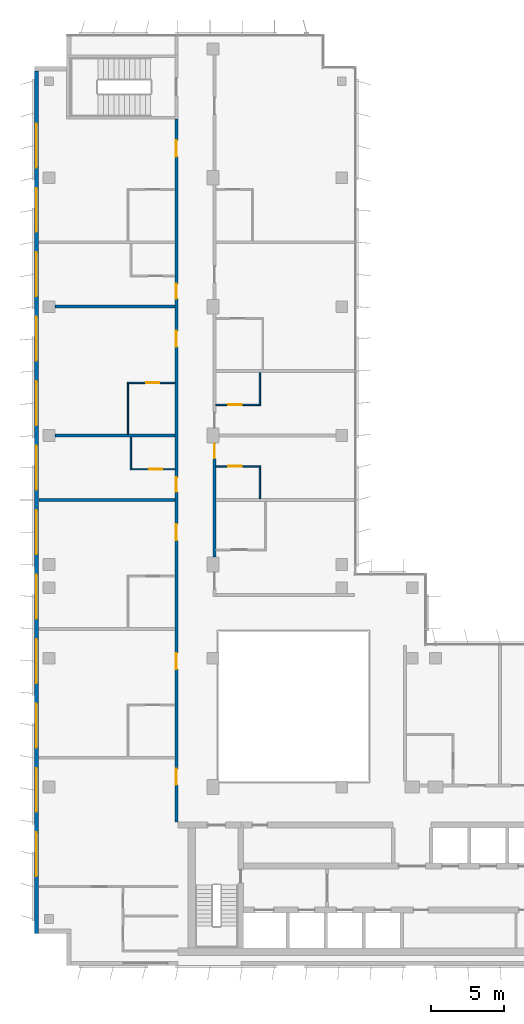
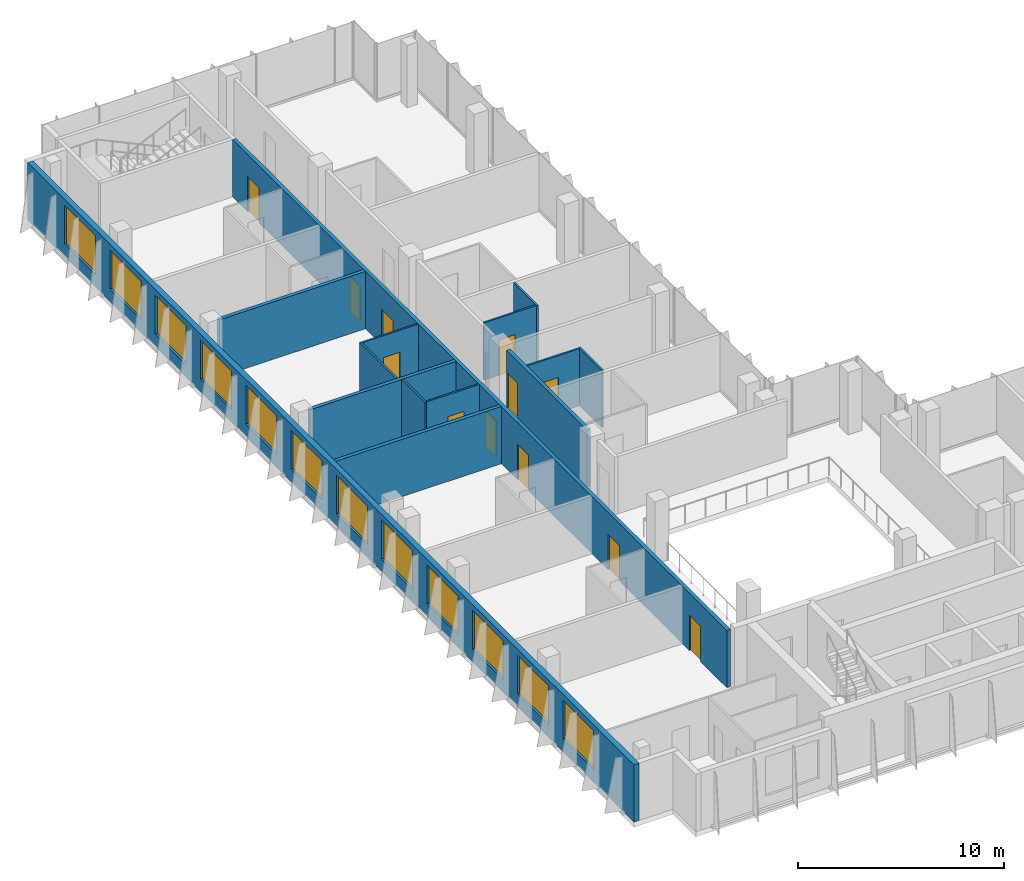
# One storey, part 11 of 15: 14 walls, 12 doors, 12 windows, 24 openings.
"""IFC4 building model written with IfcOpenShell, lengths in metres."""

from ifc_helpers import new_model, si_unit, direction, frame, frame_2d, origin, place, context, subcontext, project, spatial, rectangle, extrude, material, layer, layer_set, type_object, element, fill, save


model = new_model("IFC4")

# Units and contexts
model_context = context("Model", 3, precision=1e-05, world=origin(), true_north=direction((0.0, 1.0)))
body_context = subcontext(model_context, "Body", "Model", "MODEL_VIEW")
ifc_project = project(units=[si_unit("LENGTHUNIT", "METRE"), si_unit("AREAUNIT", "SQUARE_METRE"), si_unit("VOLUMEUNIT", "CUBIC_METRE"), si_unit("PLANEANGLEUNIT", "RADIAN"), si_unit("MASSUNIT", "GRAM", prefix="KILO")], contexts=[model_context])

# Site, building, storey
site_placement = place(None, origin())
site = spatial("IfcSite", under=ifc_project, at=site_placement, CompositionType="ELEMENT")
building_placement = place(site_placement, origin())
building = spatial("IfcBuilding", under=site, at=building_placement, Name="Kemantara Hotel Tower", CompositionType="ELEMENT")
storey_placement = place(building_placement, frame((0.0, 0.0, 268.5)))
storey = spatial("IfcBuildingStorey", under=building, at=storey_placement, Name="L67", CompositionType="ELEMENT", Elevation=268.5)

# Wall, openings, windows
ifc_material_1 = material(Name="Bronze anodised aluminium cladding on insulated steel stud wall", Category="steel")
ifc_layer_1 = layer(ifc_material_1, 0.300048828125)
ifc_layer_set_1 = layer_set([ifc_layer_1], Name="Bronze anodised aluminium cladding on insulated steel stud wall")
wall_type_1 = type_object("IfcWallType", Name="BRONZE METAL-CLAD EXTERNAL WALL 300", PredefinedType="STANDARD", material=ifc_layer_set_1)
wall_1_placement = place(storey_placement, frame((0.14990234375, 61.10009765625, 0.0), z_axis=(0.0, 0.0, 1.0), x_axis=(0.0, -1.0, 0.0)))
wall_1 = element("IfcWall", 1, at=wall_1_placement, inside=storey, type_object=wall_type_1, Name="EXTERNAL WALL L67 T4-R05", PredefinedType="STANDARD", context=body_context, shape_type="SweptSolid", body=[
    extrude(rectangle(XDim=58.900146484375, YDim=0.300048828125, at=frame_2d((29.4501953125, 0.0))), origin(), (0.0, 0.0, 1.0), 3.39990234375),
])
opening_1_placement = place(wall_1_placement, frame((3.60009765625, 0.0, 0.75)))
opening_1 = element("IfcOpeningElement", 2, at=opening_1_placement, cuts=wall_1, Name="Opening W1", PredefinedType="OPENING", context=body_context, shape_type="SweptSolid", body=[
    extrude(rectangle(XDim=3.0, YDim=2.300048828125, at=frame_2d((1.5, 1.14990234375))), frame((0.0, 0.159912109375, 0.0), z_axis=(0.0, -1.0, 0.0), x_axis=(1.0, 0.0, 0.0)), (0.0, 0.0, 1.0), 0.320068359375),
])
opening_2_placement = place(wall_1_placement, frame((8.0, 0.0, 0.75)))
opening_2 = element("IfcOpeningElement", 3, at=opening_2_placement, cuts=wall_1, Name="Opening W1", PredefinedType="OPENING", context=body_context, shape_type="SweptSolid", body=[
    extrude(rectangle(XDim=3.0, YDim=2.300048828125, at=frame_2d((1.5, 1.14990234375))), frame((0.0, 0.159912109375, 0.0), z_axis=(0.0, -1.0, 0.0), x_axis=(1.0, 0.0, 0.0)), (0.0, 0.0, 1.0), 0.320068359375),
])
opening_3_placement = place(wall_1_placement, frame((12.39990234375, 0.0, 0.75)))
opening_3 = element("IfcOpeningElement", 4, at=opening_3_placement, cuts=wall_1, Name="Opening W1", PredefinedType="OPENING", context=body_context, shape_type="SweptSolid", body=[
    extrude(rectangle(XDim=3.0, YDim=2.300048828125, at=frame_2d((1.5, 1.14990234375))), frame((0.0, 0.159912109375, 0.0), z_axis=(0.0, -1.0, 0.0), x_axis=(1.0, 0.0, 0.0)), (0.0, 0.0, 1.0), 0.320068359375),
])
opening_4_placement = place(wall_1_placement, frame((16.800048828125, 0.0, 0.75)))
opening_4 = element("IfcOpeningElement", 5, at=opening_4_placement, cuts=wall_1, Name="Opening W1", PredefinedType="OPENING", context=body_context, shape_type="SweptSolid", body=[
    extrude(rectangle(XDim=3.0, YDim=2.300048828125, at=frame_2d((1.5, 1.14990234375))), frame((0.0, 0.159912109375, 0.0), z_axis=(0.0, -1.0, 0.0), x_axis=(1.0, 0.0, 0.0)), (0.0, 0.0, 1.0), 0.320068359375),
])
opening_5_placement = place(wall_1_placement, frame((21.199951171875, 0.0, 0.75)))
opening_5 = element("IfcOpeningElement", 6, at=opening_5_placement, cuts=wall_1, Name="Opening W1", PredefinedType="OPENING", context=body_context, shape_type="SweptSolid", body=[
    extrude(rectangle(XDim=3.0, YDim=2.300048828125, at=frame_2d((1.5, 1.14990234375))), frame((0.0, 0.159912109375, 0.0), z_axis=(0.0, -1.0, 0.0), x_axis=(1.0, 0.0, 0.0)), (0.0, 0.0, 1.0), 0.320068359375),
])
opening_6_placement = place(wall_1_placement, frame((25.60009765625, 0.0, 0.75)))
opening_6 = element("IfcOpeningElement", 7, at=opening_6_placement, cuts=wall_1, Name="Opening W1", PredefinedType="OPENING", context=body_context, shape_type="SweptSolid", body=[
    extrude(rectangle(XDim=3.0, YDim=2.300048828125, at=frame_2d((1.5, 1.14990234375))), frame((0.0, 0.159912109375, 0.0), z_axis=(0.0, -1.0, 0.0), x_axis=(1.0, 0.0, 0.0)), (0.0, 0.0, 1.0), 0.320068359375),
])
opening_7_placement = place(wall_1_placement, frame((30.0, 0.0, 0.75)))
opening_7 = element("IfcOpeningElement", 8, at=opening_7_placement, cuts=wall_1, Name="Opening W1", PredefinedType="OPENING", context=body_context, shape_type="SweptSolid", body=[
    extrude(rectangle(XDim=3.0, YDim=2.300048828125, at=frame_2d((1.5, 1.14990234375))), frame((0.0, 0.159912109375, 0.0), z_axis=(0.0, -1.0, 0.0), x_axis=(1.0, 0.0, 0.0)), (0.0, 0.0, 1.0), 0.320068359375),
])
opening_8_placement = place(wall_1_placement, frame((34.39990234375, 0.0, 0.75)))
opening_8 = element("IfcOpeningElement", 9, at=opening_8_placement, cuts=wall_1, Name="Opening W1", PredefinedType="OPENING", context=body_context, shape_type="SweptSolid", body=[
    extrude(rectangle(XDim=3.0, YDim=2.300048828125, at=frame_2d((1.5, 1.14990234375))), frame((0.0, 0.159912109375, 0.0), z_axis=(0.0, -1.0, 0.0), x_axis=(1.0, 0.0, 0.0)), (0.0, 0.0, 1.0), 0.320068359375),
])
opening_9_placement = place(wall_1_placement, frame((38.800048828125, 0.0, 0.75)))
opening_9 = element("IfcOpeningElement", 10, at=opening_9_placement, cuts=wall_1, Name="Opening W1", PredefinedType="OPENING", context=body_context, shape_type="SweptSolid", body=[
    extrude(rectangle(XDim=3.0, YDim=2.300048828125, at=frame_2d((1.5, 1.14990234375))), frame((0.0, 0.159912109375, 0.0), z_axis=(0.0, -1.0, 0.0), x_axis=(1.0, 0.0, 0.0)), (0.0, 0.0, 1.0), 0.320068359375),
])
opening_10_placement = place(wall_1_placement, frame((43.199951171875, 0.0, 0.75)))
opening_10 = element("IfcOpeningElement", 11, at=opening_10_placement, cuts=wall_1, Name="Opening W1", PredefinedType="OPENING", context=body_context, shape_type="SweptSolid", body=[
    extrude(rectangle(XDim=3.0, YDim=2.300048828125, at=frame_2d((1.5, 1.14990234375))), frame((0.0, 0.159912109375, 0.0), z_axis=(0.0, -1.0, 0.0), x_axis=(1.0, 0.0, 0.0)), (0.0, 0.0, 1.0), 0.320068359375),
])
opening_11_placement = place(wall_1_placement, frame((47.60009765625, 0.0, 0.75)))
opening_11 = element("IfcOpeningElement", 12, at=opening_11_placement, cuts=wall_1, Name="Opening W1", PredefinedType="OPENING", context=body_context, shape_type="SweptSolid", body=[
    extrude(rectangle(XDim=3.0, YDim=2.300048828125, at=frame_2d((1.5, 1.14990234375))), frame((0.0, 0.159912109375, 0.0), z_axis=(0.0, -1.0, 0.0), x_axis=(1.0, 0.0, 0.0)), (0.0, 0.0, 1.0), 0.320068359375),
])
opening_12_placement = place(wall_1_placement, frame((52.0, 0.0, 0.75)))
opening_12 = element("IfcOpeningElement", 13, at=opening_12_placement, cuts=wall_1, Name="Opening W1", PredefinedType="OPENING", context=body_context, shape_type="SweptSolid", body=[
    extrude(rectangle(XDim=3.0, YDim=2.300048828125, at=frame_2d((1.5, 1.14990234375))), frame((0.0, 0.159912109375, 0.0), z_axis=(0.0, -1.0, 0.0), x_axis=(1.0, 0.0, 0.0)), (0.0, 0.0, 1.0), 0.320068359375),
])
ifc_material_2 = material(Name="Low-E tinted double insulated glass in bronze anodised aluminium frame", Category="aluminium")
window_type = type_object("IfcWindowType", Name="CHICAGO WINDOW, TRIPLE PANEL 3000x2300", PartitioningType="TRIPLE_PANEL_VERTICAL", PredefinedType="WINDOW", material=ifc_material_2)
window_1_placement = place(opening_1_placement, origin())
window_1 = element("IfcWindow", 14, at=window_1_placement, inside=storey, type_object=window_type, Name="CHICAGO WINDOW L67 T4-R05-54", OverallHeight=2.300048828125, OverallWidth=3.0, PartitioningType="SINGLE_PANEL", PredefinedType="WINDOW", context=body_context, shape_type="SweptSolid", body=[
    extrude(rectangle(XDim=3.0, YDim=2.300048828125, at=frame_2d((1.5, 1.14990234375))), frame((0.0, 0.030029296875, 0.0), z_axis=(0.0, -1.0, 0.0), x_axis=(1.0, 0.0, 0.0)), (0.0, 0.0, 1.0), 0.06005859375),
])
fill(opening_1, window_1)
window_2_placement = place(opening_2_placement, origin())
window_2 = element("IfcWindow", 15, at=window_2_placement, inside=storey, type_object=window_type, Name="CHICAGO WINDOW L67 T4-R05-98", OverallHeight=2.300048828125, OverallWidth=3.0, PartitioningType="SINGLE_PANEL", PredefinedType="WINDOW", context=body_context, shape_type="SweptSolid", body=[
    extrude(rectangle(XDim=3.0, YDim=2.300048828125, at=frame_2d((1.5, 1.14990234375))), frame((0.0, 0.030029296875, 0.0), z_axis=(0.0, -1.0, 0.0), x_axis=(1.0, 0.0, 0.0)), (0.0, 0.0, 1.0), 0.06005859375),
])
fill(opening_2, window_2)
window_3_placement = place(opening_3_placement, origin())
window_3 = element("IfcWindow", 16, at=window_3_placement, inside=storey, type_object=window_type, Name="CHICAGO WINDOW L67 T4-R05-142", OverallHeight=2.300048828125, OverallWidth=3.0, PartitioningType="SINGLE_PANEL", PredefinedType="WINDOW", context=body_context, shape_type="SweptSolid", body=[
    extrude(rectangle(XDim=3.0, YDim=2.300048828125, at=frame_2d((1.5, 1.14990234375))), frame((0.0, 0.030029296875, 0.0), z_axis=(0.0, -1.0, 0.0), x_axis=(1.0, 0.0, 0.0)), (0.0, 0.0, 1.0), 0.06005859375),
])
fill(opening_3, window_3)
window_4_placement = place(opening_4_placement, origin())
window_4 = element("IfcWindow", 17, at=window_4_placement, inside=storey, type_object=window_type, Name="CHICAGO WINDOW L67 T4-R05-186", OverallHeight=2.300048828125, OverallWidth=3.0, PartitioningType="SINGLE_PANEL", PredefinedType="WINDOW", context=body_context, shape_type="SweptSolid", body=[
    extrude(rectangle(XDim=3.0, YDim=2.300048828125, at=frame_2d((1.5, 1.14990234375))), frame((0.0, 0.030029296875, 0.0), z_axis=(0.0, -1.0, 0.0), x_axis=(1.0, 0.0, 0.0)), (0.0, 0.0, 1.0), 0.06005859375),
])
fill(opening_4, window_4)
window_5_placement = place(opening_5_placement, origin())
window_5 = element("IfcWindow", 18, at=window_5_placement, inside=storey, type_object=window_type, Name="CHICAGO WINDOW L67 T4-R05-230", OverallHeight=2.300048828125, OverallWidth=3.0, PartitioningType="SINGLE_PANEL", PredefinedType="WINDOW", context=body_context, shape_type="SweptSolid", body=[
    extrude(rectangle(XDim=3.0, YDim=2.300048828125, at=frame_2d((1.5, 1.14990234375))), frame((0.0, 0.030029296875, 0.0), z_axis=(0.0, -1.0, 0.0), x_axis=(1.0, 0.0, 0.0)), (0.0, 0.0, 1.0), 0.06005859375),
])
fill(opening_5, window_5)
window_6_placement = place(opening_6_placement, origin())
window_6 = element("IfcWindow", 19, at=window_6_placement, inside=storey, type_object=window_type, Name="CHICAGO WINDOW L67 T4-R05-274", OverallHeight=2.300048828125, OverallWidth=3.0, PartitioningType="SINGLE_PANEL", PredefinedType="WINDOW", context=body_context, shape_type="SweptSolid", body=[
    extrude(rectangle(XDim=3.0, YDim=2.300048828125, at=frame_2d((1.5, 1.14990234375))), frame((0.0, 0.030029296875, 0.0), z_axis=(0.0, -1.0, 0.0), x_axis=(1.0, 0.0, 0.0)), (0.0, 0.0, 1.0), 0.06005859375),
])
fill(opening_6, window_6)
window_7_placement = place(opening_7_placement, origin())
window_7 = element("IfcWindow", 20, at=window_7_placement, inside=storey, type_object=window_type, Name="CHICAGO WINDOW L67 T4-R05-318", OverallHeight=2.300048828125, OverallWidth=3.0, PartitioningType="SINGLE_PANEL", PredefinedType="WINDOW", context=body_context, shape_type="SweptSolid", body=[
    extrude(rectangle(XDim=3.0, YDim=2.300048828125, at=frame_2d((1.5, 1.14990234375))), frame((0.0, 0.030029296875, 0.0), z_axis=(0.0, -1.0, 0.0), x_axis=(1.0, 0.0, 0.0)), (0.0, 0.0, 1.0), 0.06005859375),
])
fill(opening_7, window_7)
window_8_placement = place(opening_8_placement, origin())
window_8 = element("IfcWindow", 21, at=window_8_placement, inside=storey, type_object=window_type, Name="CHICAGO WINDOW L67 T4-R05-362", OverallHeight=2.300048828125, OverallWidth=3.0, PartitioningType="SINGLE_PANEL", PredefinedType="WINDOW", context=body_context, shape_type="SweptSolid", body=[
    extrude(rectangle(XDim=3.0, YDim=2.300048828125, at=frame_2d((1.5, 1.14990234375))), frame((0.0, 0.030029296875, 0.0), z_axis=(0.0, -1.0, 0.0), x_axis=(1.0, 0.0, 0.0)), (0.0, 0.0, 1.0), 0.06005859375),
])
fill(opening_8, window_8)
window_9_placement = place(opening_9_placement, origin())
window_9 = element("IfcWindow", 22, at=window_9_placement, inside=storey, type_object=window_type, Name="CHICAGO WINDOW L67 T4-R05-406", OverallHeight=2.300048828125, OverallWidth=3.0, PartitioningType="SINGLE_PANEL", PredefinedType="WINDOW", context=body_context, shape_type="SweptSolid", body=[
    extrude(rectangle(XDim=3.0, YDim=2.300048828125, at=frame_2d((1.5, 1.14990234375))), frame((0.0, 0.030029296875, 0.0), z_axis=(0.0, -1.0, 0.0), x_axis=(1.0, 0.0, 0.0)), (0.0, 0.0, 1.0), 0.06005859375),
])
fill(opening_9, window_9)
window_10_placement = place(opening_10_placement, origin())
window_10 = element("IfcWindow", 23, at=window_10_placement, inside=storey, type_object=window_type, Name="CHICAGO WINDOW L67 T4-R05-450", OverallHeight=2.300048828125, OverallWidth=3.0, PartitioningType="SINGLE_PANEL", PredefinedType="WINDOW", context=body_context, shape_type="SweptSolid", body=[
    extrude(rectangle(XDim=3.0, YDim=2.300048828125, at=frame_2d((1.5, 1.14990234375))), frame((0.0, 0.030029296875, 0.0), z_axis=(0.0, -1.0, 0.0), x_axis=(1.0, 0.0, 0.0)), (0.0, 0.0, 1.0), 0.06005859375),
])
fill(opening_10, window_10)
window_11_placement = place(opening_11_placement, origin())
window_11 = element("IfcWindow", 24, at=window_11_placement, inside=storey, type_object=window_type, Name="CHICAGO WINDOW L67 T4-R05-494", OverallHeight=2.300048828125, OverallWidth=3.0, PartitioningType="SINGLE_PANEL", PredefinedType="WINDOW", context=body_context, shape_type="SweptSolid", body=[
    extrude(rectangle(XDim=3.0, YDim=2.300048828125, at=frame_2d((1.5, 1.14990234375))), frame((0.0, 0.030029296875, 0.0), z_axis=(0.0, -1.0, 0.0), x_axis=(1.0, 0.0, 0.0)), (0.0, 0.0, 1.0), 0.06005859375),
])
fill(opening_11, window_11)
window_12_placement = place(opening_12_placement, origin())
window_12 = element("IfcWindow", 25, at=window_12_placement, inside=storey, type_object=window_type, Name="CHICAGO WINDOW L67 T4-R05-538", OverallHeight=2.300048828125, OverallWidth=3.0, PartitioningType="SINGLE_PANEL", PredefinedType="WINDOW", context=body_context, shape_type="SweptSolid", body=[
    extrude(rectangle(XDim=3.0, YDim=2.300048828125, at=frame_2d((1.5, 1.14990234375))), frame((0.0, 0.030029296875, 0.0), z_axis=(0.0, -1.0, 0.0), x_axis=(1.0, 0.0, 0.0)), (0.0, 0.0, 1.0), 0.06005859375),
])
fill(opening_12, window_12)

# Wall, openings, doors
ifc_material_3 = material(Name="Gypsum board partition, steel studs and mineral wool, 200 mm", Category="steel")
ifc_layer_2 = layer(ifc_material_3, 0.199951171875)
ifc_layer_set_2 = layer_set([ifc_layer_2], Name="Gypsum board partition, steel studs and mineral wool, 200 mm")
wall_type_2 = type_object("IfcWallType", Name="CORRIDOR WALL 200", PredefinedType="PARTITIONING", material=ifc_layer_set_2)
wall_2_placement = place(storey_placement, frame((9.699951171875, 9.800048828125, 0.0), z_axis=(0.0, 0.0, 1.0), x_axis=(0.0, 1.0, 0.0)))
wall_2 = element("IfcWall", 26, at=wall_2_placement, inside=storey, type_object=wall_type_2, Name="CORRIDOR WALL 200 007", PredefinedType="PARTITIONING", context=body_context, shape_type="SweptSolid", body=[
    extrude(rectangle(XDim=48.0, YDim=0.199951171875, at=frame_2d((24.0, 0.0))), origin(), (0.0, 0.0, 1.0), 3.39990234375),
])
opening_13_placement = place(wall_2_placement, frame((2.550048828125, 0.0, 0.0)))
opening_13 = element("IfcOpeningElement", 27, at=opening_13_placement, cuts=wall_2, Name="Opening F33-007", PredefinedType="OPENING", context=body_context, shape_type="SweptSolid", body=[
    extrude(rectangle(XDim=1.10009765625, YDim=2.10009765625, at=frame_2d((0.550048828125, 1.050048828125))), frame((0.0, 0.10986328125, 0.0), z_axis=(0.0, -1.0, 0.0), x_axis=(1.0, 0.0, 0.0)), (0.0, 0.0, 1.0), 0.219970703125),
])
opening_14_placement = place(wall_2_placement, frame((10.449951171875, 0.0, 0.0)))
opening_14 = element("IfcOpeningElement", 28, at=opening_14_placement, cuts=wall_2, Name="Opening F33-011", PredefinedType="OPENING", context=body_context, shape_type="SweptSolid", body=[
    extrude(rectangle(XDim=1.10009765625, YDim=2.10009765625, at=frame_2d((0.550048828125, 1.050048828125))), frame((0.0, 0.10986328125, 0.0), z_axis=(0.0, -1.0, 0.0), x_axis=(1.0, 0.0, 0.0)), (0.0, 0.0, 1.0), 0.219970703125),
])
opening_15_placement = place(wall_2_placement, frame((19.25, 0.0, 0.0)))
opening_15 = element("IfcOpeningElement", 29, at=opening_15_placement, cuts=wall_2, Name="Opening F33-013", PredefinedType="OPENING", context=body_context, shape_type="SweptSolid", body=[
    extrude(rectangle(XDim=1.10009765625, YDim=2.10009765625, at=frame_2d((0.550048828125, 1.050048828125))), frame((0.0, 0.10986328125, 0.0), z_axis=(0.0, -1.0, 0.0), x_axis=(1.0, 0.0, 0.0)), (0.0, 0.0, 1.0), 0.219970703125),
])
opening_16_placement = place(wall_2_placement, frame((22.550048828125, 0.0, 0.0)))
opening_16 = element("IfcOpeningElement", 30, at=opening_16_placement, cuts=wall_2, Name="Opening F33-015", PredefinedType="OPENING", context=body_context, shape_type="SweptSolid", body=[
    extrude(rectangle(XDim=1.0, YDim=2.10009765625, at=frame_2d((0.5, 1.050048828125))), frame((0.0, 0.10986328125, 0.0), z_axis=(0.0, -1.0, 0.0), x_axis=(1.0, 0.0, 0.0)), (0.0, 0.0, 1.0), 0.219970703125),
])
opening_17_placement = place(wall_2_placement, frame((32.449951171875, 0.0, 0.0)))
opening_17 = element("IfcOpeningElement", 31, at=opening_17_placement, cuts=wall_2, Name="Opening F33-017", PredefinedType="OPENING", context=body_context, shape_type="SweptSolid", body=[
    extrude(rectangle(XDim=1.10009765625, YDim=2.10009765625, at=frame_2d((0.550048828125, 1.050048828125))), frame((0.0, 0.10986328125, 0.0), z_axis=(0.0, -1.0, 0.0), x_axis=(1.0, 0.0, 0.0)), (0.0, 0.0, 1.0), 0.219970703125),
])
opening_18_placement = place(wall_2_placement, frame((35.75, 0.0, 0.0)))
opening_18 = element("IfcOpeningElement", 32, at=opening_18_placement, cuts=wall_2, Name="Opening F33-019", PredefinedType="OPENING", context=body_context, shape_type="SweptSolid", body=[
    extrude(rectangle(XDim=1.0, YDim=2.10009765625, at=frame_2d((0.5, 1.050048828125))), frame((0.0, 0.10986328125, 0.0), z_axis=(0.0, -1.0, 0.0), x_axis=(1.0, 0.0, 0.0)), (0.0, 0.0, 1.0), 0.219970703125),
])
opening_19_placement = place(wall_2_placement, frame((45.449951171875, 0.0, 0.0)))
opening_19 = element("IfcOpeningElement", 33, at=opening_19_placement, cuts=wall_2, Name="Opening F33-021", PredefinedType="OPENING", context=body_context, shape_type="SweptSolid", body=[
    extrude(rectangle(XDim=1.10009765625, YDim=2.10009765625, at=frame_2d((0.550048828125, 1.050048828125))), frame((0.0, 0.10986328125, 0.0), z_axis=(0.0, -1.0, 0.0), x_axis=(1.0, 0.0, 0.0)), (0.0, 0.0, 1.0), 0.219970703125),
])
ifc_material_4 = material(Name="Hardwood veneer door leaf with steel frame", Category="steel")
door_type_1 = type_object("IfcDoorType", Name="GUEST ROOM DOOR 1000 X 2100 FD30S", OperationType="NOTDEFINED", PredefinedType="DOOR", material=ifc_material_4)
door_1_placement = place(opening_16_placement, origin())
door_1 = element("IfcDoor", 34, at=door_1_placement, inside=storey, type_object=door_type_1, Name="GUEST ROOM DOOR F33-015", OperationType="SINGLE_SWING_LEFT", OverallHeight=2.10009765625, OverallWidth=1.0, PredefinedType="DOOR", context=body_context, shape_type="SweptSolid", body=[
    extrude(rectangle(XDim=1.0, YDim=2.10009765625, at=frame_2d((0.5, 1.050048828125))), frame((0.0, 0.02490234375, 0.0), z_axis=(0.0, -1.0, 0.0), x_axis=(1.0, 0.0, 0.0)), (0.0, 0.0, 1.0), 0.050048828125),
])
fill(opening_16, door_1)
door_2_placement = place(opening_18_placement, origin())
door_2 = element("IfcDoor", 35, at=door_2_placement, inside=storey, type_object=door_type_1, Name="GUEST ROOM DOOR F33-019", OperationType="SINGLE_SWING_LEFT", OverallHeight=2.10009765625, OverallWidth=1.0, PredefinedType="DOOR", context=body_context, shape_type="SweptSolid", body=[
    extrude(rectangle(XDim=1.0, YDim=2.10009765625, at=frame_2d((0.5, 1.050048828125))), frame((0.0, 0.02490234375, 0.0), z_axis=(0.0, -1.0, 0.0), x_axis=(1.0, 0.0, 0.0)), (0.0, 0.0, 1.0), 0.050048828125),
])
fill(opening_18, door_2)
door_type_2 = type_object("IfcDoorType", Name="SUITE ENTRANCE DOOR 1100 X 2100 FD30S", OperationType="NOTDEFINED", PredefinedType="DOOR", material=ifc_material_4)
door_3_placement = place(opening_13_placement, origin())
door_3 = element("IfcDoor", 36, at=door_3_placement, inside=storey, type_object=door_type_2, Name="SUITE ENTRANCE DOOR F33-007", OperationType="SINGLE_SWING_RIGHT", OverallHeight=2.10009765625, OverallWidth=1.10009765625, PredefinedType="DOOR", context=body_context, shape_type="SweptSolid", body=[
    extrude(rectangle(XDim=1.10009765625, YDim=2.10009765625, at=frame_2d((0.550048828125, 1.050048828125))), frame((0.0, 0.02490234375, 0.0), z_axis=(0.0, -1.0, 0.0), x_axis=(1.0, 0.0, 0.0)), (0.0, 0.0, 1.0), 0.050048828125),
])
fill(opening_13, door_3)
door_4_placement = place(opening_14_placement, origin())
door_4 = element("IfcDoor", 37, at=door_4_placement, inside=storey, type_object=door_type_2, Name="SUITE ENTRANCE DOOR F33-011", OperationType="SINGLE_SWING_RIGHT", OverallHeight=2.10009765625, OverallWidth=1.10009765625, PredefinedType="DOOR", context=body_context, shape_type="SweptSolid", body=[
    extrude(rectangle(XDim=1.10009765625, YDim=2.10009765625, at=frame_2d((0.550048828125, 1.050048828125))), frame((0.0, 0.02490234375, 0.0), z_axis=(0.0, -1.0, 0.0), x_axis=(1.0, 0.0, 0.0)), (0.0, 0.0, 1.0), 0.050048828125),
])
fill(opening_14, door_4)
door_5_placement = place(opening_15_placement, origin())
door_5 = element("IfcDoor", 38, at=door_5_placement, inside=storey, type_object=door_type_2, Name="SUITE ENTRANCE DOOR F33-013", OperationType="SINGLE_SWING_RIGHT", OverallHeight=2.10009765625, OverallWidth=1.10009765625, PredefinedType="DOOR", context=body_context, shape_type="SweptSolid", body=[
    extrude(rectangle(XDim=1.10009765625, YDim=2.10009765625, at=frame_2d((0.550048828125, 1.050048828125))), frame((0.0, 0.02490234375, 0.0), z_axis=(0.0, -1.0, 0.0), x_axis=(1.0, 0.0, 0.0)), (0.0, 0.0, 1.0), 0.050048828125),
])
fill(opening_15, door_5)
door_6_placement = place(opening_17_placement, origin())
door_6 = element("IfcDoor", 39, at=door_6_placement, inside=storey, type_object=door_type_2, Name="SUITE ENTRANCE DOOR F33-017", OperationType="SINGLE_SWING_RIGHT", OverallHeight=2.10009765625, OverallWidth=1.10009765625, PredefinedType="DOOR", context=body_context, shape_type="SweptSolid", body=[
    extrude(rectangle(XDim=1.10009765625, YDim=2.10009765625, at=frame_2d((0.550048828125, 1.050048828125))), frame((0.0, 0.02490234375, 0.0), z_axis=(0.0, -1.0, 0.0), x_axis=(1.0, 0.0, 0.0)), (0.0, 0.0, 1.0), 0.050048828125),
])
fill(opening_17, door_6)
door_7_placement = place(opening_19_placement, origin())
door_7 = element("IfcDoor", 40, at=door_7_placement, inside=storey, type_object=door_type_2, Name="SUITE ENTRANCE DOOR F33-021", OperationType="SINGLE_SWING_RIGHT", OverallHeight=2.10009765625, OverallWidth=1.10009765625, PredefinedType="DOOR", context=body_context, shape_type="SweptSolid", body=[
    extrude(rectangle(XDim=1.10009765625, YDim=2.10009765625, at=frame_2d((0.550048828125, 1.050048828125))), frame((0.0, 0.02490234375, 0.0), z_axis=(0.0, -1.0, 0.0), x_axis=(1.0, 0.0, 0.0)), (0.0, 0.0, 1.0), 0.050048828125),
])
fill(opening_19, door_7)

# Wall, opening, door
wall_3_placement = place(storey_placement, frame((12.300048828125, 35.699951171875, 0.0), z_axis=(0.0, 0.0, 1.0), x_axis=(0.0, -1.0, 0.0)))
wall_3 = element("IfcWall", 41, at=wall_3_placement, inside=storey, type_object=wall_type_2, Name="CORRIDOR WALL 200 019", PredefinedType="PARTITIONING", context=body_context, shape_type="SweptSolid", body=[
    extrude(rectangle(XDim=7.7998046875, YDim=0.199951171875, at=frame_2d((3.89990234375, 0.0))), origin(), (0.0, 0.0, 1.0), 3.39990234375),
])
opening_20_placement = place(wall_3_placement, frame((0.0498046875, 0.0, 0.0)))
opening_20 = element("IfcOpeningElement", 42, at=opening_20_placement, cuts=wall_3, Name="Opening F33-025", PredefinedType="OPENING", context=body_context, shape_type="SweptSolid", body=[
    extrude(rectangle(XDim=1.0, YDim=2.10009765625, at=frame_2d((0.5, 1.050048828125))), frame((0.0, 0.10986328125, 0.0), z_axis=(0.0, -1.0, 0.0), x_axis=(1.0, 0.0, 0.0)), (0.0, 0.0, 1.0), 0.219970703125),
])
door_8_placement = place(opening_20_placement, origin())
door_8 = element("IfcDoor", 43, at=door_8_placement, inside=storey, type_object=door_type_1, Name="GUEST ROOM DOOR F33-025", OperationType="SINGLE_SWING_LEFT", OverallHeight=2.10009765625, OverallWidth=1.0, PredefinedType="DOOR", context=body_context, shape_type="SweptSolid", body=[
    extrude(rectangle(XDim=1.0, YDim=2.10009765625, at=frame_2d((0.5, 1.050048828125))), frame((0.0, 0.02490234375, 0.0), z_axis=(0.0, -1.0, 0.0), x_axis=(1.0, 0.0, 0.0)), (0.0, 0.0, 1.0), 0.050048828125),
])
fill(opening_20, door_8)

# Walls
ifc_layer_3 = layer(ifc_material_3, 0.199951171875)
ifc_layer_set_3 = layer_set([ifc_layer_3], Name="Gypsum board partition, steel studs and mineral wool, 200 mm")
wall_type_3 = type_object("IfcWallType", Name="GUEST ROOM PARTY WALL 200", PredefinedType="PARTITIONING", material=ifc_layer_set_3)
wall_4_placement = place(storey_placement, frame((0.31005859375, 31.800048828125, 0.0), z_axis=(0.0, 0.0, 1.0), x_axis=(1.0, 0.0, 0.0)))
element("IfcWall", 44, at=wall_4_placement, inside=storey, type_object=wall_type_3, Name="GUEST ROOM PARTY WALL 200 011", PredefinedType="PARTITIONING", context=body_context, shape_type="SweptSolid", body=[
    extrude(rectangle(XDim=9.2900390625, YDim=0.199951171875, at=frame_2d((4.64501953125, 0.0))), origin(), (0.0, 0.0, 1.0), 3.39990234375),
])
for number, where, z_axis, x_axis, name in (
    (45, (1.400146484375, 36.199951171875, 0.0), (0.0, 0.0, 1.0), (1.0, 0.0, 0.0), "GUEST ROOM PARTY WALL 200 013"),
    (46, (1.400146484375, 45.0, 0.0), (0.0, 0.0, 1.0), (1.0, 0.0, 0.0), "GUEST ROOM PARTY WALL 200 015"),
):
    element("IfcWall", number, at=place(storey_placement, frame(where, z_axis=z_axis, x_axis=x_axis)), inside=storey, type_object=wall_type_3, Name=name, PredefinedType="PARTITIONING", context=body_context, shape_type="SweptSolid", body=[
        extrude(rectangle(XDim=8.199951171875, YDim=0.199951171875, at=frame_2d((4.10009765625, 0.0))), origin(), (0.0, 0.0, 1.0), 3.39990234375),
    ])
ifc_material_5 = material(Name="Gypsum board partition on steel studs, 100 mm", Category="steel")
ifc_layer_4 = layer(ifc_material_5, 0.10009765625)
ifc_layer_set_4 = layer_set([ifc_layer_4], Name="Gypsum board partition on steel studs, 100 mm")
wall_type_4 = type_object("IfcWallType", Name="ROOM PARTITION 100", PredefinedType="PARTITIONING", material=ifc_layer_set_4)
wall_5_placement = place(storey_placement, frame((6.39990234375, 36.300048828125, 0.0), z_axis=(0.0, 0.0, 1.0), x_axis=(0.0, 1.0, 0.0)))
element("IfcWall", 47, at=wall_5_placement, inside=storey, type_object=wall_type_4, Name="ROOM PARTITION 100 038", PredefinedType="PARTITIONING", context=body_context, shape_type="SweptSolid", body=[
    extrude(rectangle(XDim=3.550048828125, YDim=0.10009765625, at=frame_2d((1.77490234375, 0.0))), origin(), (0.0, 0.0, 1.0), 3.39990234375),
])
wall_6_placement = place(storey_placement, frame((6.60009765625, 33.85009765625, 0.0), z_axis=(0.0, 0.0, 1.0), x_axis=(0.0, 1.0, 0.0)))
element("IfcWall", 48, at=wall_6_placement, inside=storey, type_object=wall_type_4, Name="ROOM PARTITION 100 042", PredefinedType="PARTITIONING", context=body_context, shape_type="SweptSolid", body=[
    extrude(rectangle(XDim=2.25, YDim=0.10009765625, at=frame_2d((1.125, 0.0))), origin(), (0.0, 0.0, 1.0), 3.39990234375),
])

# Wall, opening, door
wall_7_placement = place(storey_placement, frame((6.64990234375, 33.89990234375, 0.0), z_axis=(0.0, 0.0, 1.0), x_axis=(1.0, 0.0, 0.0)))
wall_7 = element("IfcWall", 49, at=wall_7_placement, inside=storey, type_object=wall_type_4, Name="ROOM PARTITION 100 044", PredefinedType="PARTITIONING", context=body_context, shape_type="SweptSolid", body=[
    extrude(rectangle(XDim=2.9501953125, YDim=0.10009765625, at=frame_2d((1.47509765625, 0.0))), origin(), (0.0, 0.0, 1.0), 3.39990234375),
])
opening_21_placement = place(wall_7_placement, frame((1.199951171875, 0.0, 0.0)))
opening_21 = element("IfcOpeningElement", 50, at=opening_21_placement, cuts=wall_7, Name="Opening F33-016", PredefinedType="OPENING", context=body_context, shape_type="SweptSolid", body=[
    extrude(rectangle(XDim=0.89990234375, YDim=2.10009765625, at=frame_2d((0.449951171875, 1.050048828125))), frame((0.0, 0.06005859375, 0.0), z_axis=(0.0, -1.0, 0.0), x_axis=(1.0, 0.0, 0.0)), (0.0, 0.0, 1.0), 0.1201171875),
])
door_type_3 = type_object("IfcDoorType", Name="BATHROOM DOOR 900 X 2100", OperationType="NOTDEFINED", PredefinedType="DOOR", material=ifc_material_4)
door_9_placement = place(opening_21_placement, origin())
door_9 = element("IfcDoor", 51, at=door_9_placement, inside=storey, type_object=door_type_3, Name="BATHROOM DOOR F33-016", OperationType="SINGLE_SWING_RIGHT", OverallHeight=2.10009765625, OverallWidth=0.89990234375, PredefinedType="DOOR", context=body_context, shape_type="SweptSolid", body=[
    extrude(rectangle(XDim=0.89990234375, YDim=2.10009765625, at=frame_2d((0.449951171875, 1.050048828125))), frame((0.0, 0.02490234375, 0.0), z_axis=(0.0, -1.0, 0.0), x_axis=(1.0, 0.0, 0.0)), (0.0, 0.0, 1.0), 0.050048828125),
])
fill(opening_21, door_9)

wall_8_placement = place(storey_placement, frame((9.60009765625, 39.800048828125, 0.0), z_axis=(0.0, 0.0, 1.0), x_axis=(-1.0, 0.0, 0.0)))
wall_8 = element("IfcWall", 52, at=wall_8_placement, inside=storey, type_object=wall_type_4, Name="ROOM PARTITION 100 045", PredefinedType="PARTITIONING", context=body_context, shape_type="SweptSolid", body=[
    extrude(rectangle(XDim=3.150146484375, YDim=0.10009765625, at=frame_2d((1.5751953125, 0.0))), origin(), (0.0, 0.0, 1.0), 3.39990234375),
])
opening_22_placement = place(wall_8_placement, frame((1.050048828125, 0.0, 0.0)))
opening_22 = element("IfcOpeningElement", 53, at=opening_22_placement, cuts=wall_8, Name="Opening F33-018", PredefinedType="OPENING", context=body_context, shape_type="SweptSolid", body=[
    extrude(rectangle(XDim=0.89990234375, YDim=2.10009765625, at=frame_2d((0.449951171875, 1.050048828125))), frame((0.0, 0.06005859375, 0.0), z_axis=(0.0, -1.0, 0.0), x_axis=(1.0, 0.0, 0.0)), (0.0, 0.0, 1.0), 0.1201171875),
])
door_10_placement = place(opening_22_placement, origin())
door_10 = element("IfcDoor", 54, at=door_10_placement, inside=storey, type_object=door_type_3, Name="BATHROOM DOOR F33-018", OperationType="SINGLE_SWING_LEFT", OverallHeight=2.10009765625, OverallWidth=0.89990234375, PredefinedType="DOOR", context=body_context, shape_type="SweptSolid", body=[
    extrude(rectangle(XDim=0.89990234375, YDim=2.10009765625, at=frame_2d((0.449951171875, 1.050048828125))), frame((0.0, 0.02490234375, 0.0), z_axis=(0.0, -1.0, 0.0), x_axis=(1.0, 0.0, 0.0)), (0.0, 0.0, 1.0), 0.050048828125),
])
fill(opening_22, door_10)

# Walls
for number, where, z_axis, x_axis, name in (
    (55, (15.39990234375, 31.89990234375, 0.0), (0.0, 0.0, 1.0), (0.0, 1.0, 0.0), "ROOM PARTITION 100 051"),
    (56, (15.39990234375, 38.25, 0.0), (0.0, 0.0, 1.0), (0.0, 1.0, 0.0), "ROOM PARTITION 100 052"),
):
    element("IfcWall", number, at=place(storey_placement, frame(where, z_axis=z_axis, x_axis=x_axis)), inside=storey, type_object=wall_type_4, Name=name, PredefinedType="PARTITIONING", context=body_context, shape_type="SweptSolid", body=[
        extrude(rectangle(XDim=2.25, YDim=0.10009765625, at=frame_2d((1.125, 0.0))), origin(), (0.0, 0.0, 1.0), 3.39990234375),
    ])

# Wall, opening, door
wall_9_placement = place(storey_placement, frame((15.35009765625, 34.10009765625, 0.0), z_axis=(0.0, 0.0, 1.0), x_axis=(-1.0, 0.0, 0.0)))
wall_9 = element("IfcWall", 57, at=wall_9_placement, inside=storey, type_object=wall_type_4, Name="ROOM PARTITION 100 053", PredefinedType="PARTITIONING", context=body_context, shape_type="SweptSolid", body=[
    extrude(rectangle(XDim=2.9501953125, YDim=0.10009765625, at=frame_2d((1.47509765625, 0.0))), origin(), (0.0, 0.0, 1.0), 3.39990234375),
])
opening_23_placement = place(wall_9_placement, frame((1.199951171875, 0.0, 0.0)))
opening_23 = element("IfcOpeningElement", 58, at=opening_23_placement, cuts=wall_9, Name="Opening F33-026", PredefinedType="OPENING", context=body_context, shape_type="SweptSolid", body=[
    extrude(rectangle(XDim=0.89990234375, YDim=2.10009765625, at=frame_2d((0.449951171875, 1.050048828125))), frame((0.0, 0.06005859375, 0.0), z_axis=(0.0, -1.0, 0.0), x_axis=(1.0, 0.0, 0.0)), (0.0, 0.0, 1.0), 0.1201171875),
])
door_11_placement = place(opening_23_placement, origin())
door_11 = element("IfcDoor", 59, at=door_11_placement, inside=storey, type_object=door_type_3, Name="BATHROOM DOOR F33-026", OperationType="SINGLE_SWING_RIGHT", OverallHeight=2.10009765625, OverallWidth=0.89990234375, PredefinedType="DOOR", context=body_context, shape_type="SweptSolid", body=[
    extrude(rectangle(XDim=0.89990234375, YDim=2.10009765625, at=frame_2d((0.449951171875, 1.050048828125))), frame((0.0, 0.02490234375, 0.0), z_axis=(0.0, -1.0, 0.0), x_axis=(1.0, 0.0, 0.0)), (0.0, 0.0, 1.0), 0.050048828125),
])
fill(opening_23, door_11)

wall_10_placement = place(storey_placement, frame((12.39990234375, 38.300048828125, 0.0), z_axis=(0.0, 0.0, 1.0), x_axis=(1.0, 0.0, 0.0)))
wall_10 = element("IfcWall", 60, at=wall_10_placement, inside=storey, type_object=wall_type_4, Name="ROOM PARTITION 100 054", PredefinedType="PARTITIONING", context=body_context, shape_type="SweptSolid", body=[
    extrude(rectangle(XDim=2.9501953125, YDim=0.10009765625, at=frame_2d((1.47509765625, 0.0))), origin(), (0.0, 0.0, 1.0), 3.39990234375),
])
opening_24_placement = place(wall_10_placement, frame((0.85009765625, 0.0, 0.0)))
opening_24 = element("IfcOpeningElement", 61, at=opening_24_placement, cuts=wall_10, Name="Opening F33-028", PredefinedType="OPENING", context=body_context, shape_type="SweptSolid", body=[
    extrude(rectangle(XDim=0.89990234375, YDim=2.10009765625, at=frame_2d((0.449951171875, 1.050048828125))), frame((0.0, 0.06005859375, 0.0), z_axis=(0.0, -1.0, 0.0), x_axis=(1.0, 0.0, 0.0)), (0.0, 0.0, 1.0), 0.1201171875),
])
door_12_placement = place(opening_24_placement, origin())
door_12 = element("IfcDoor", 62, at=door_12_placement, inside=storey, type_object=door_type_3, Name="BATHROOM DOOR F33-028", OperationType="SINGLE_SWING_LEFT", OverallHeight=2.10009765625, OverallWidth=0.89990234375, PredefinedType="DOOR", context=body_context, shape_type="SweptSolid", body=[
    extrude(rectangle(XDim=0.89990234375, YDim=2.10009765625, at=frame_2d((0.449951171875, 1.050048828125))), frame((0.0, 0.02490234375, 0.0), z_axis=(0.0, -1.0, 0.0), x_axis=(1.0, 0.0, 0.0)), (0.0, 0.0, 1.0), 0.050048828125),
])
fill(opening_24, door_12)

save(model, "model.ifc")
